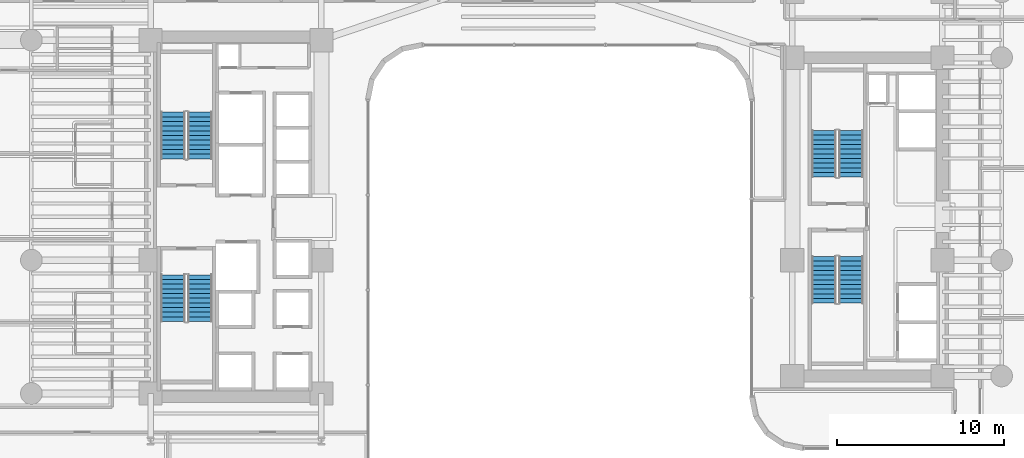
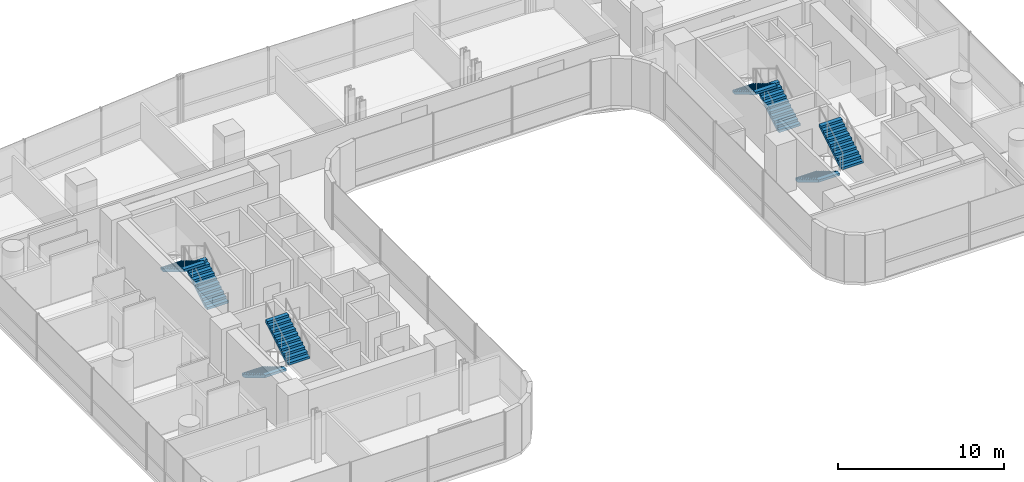
# One storey, part 36 of 40: 8 stair flights, 4 elements without a shape of their own.
"""IFC4 building model written with IfcOpenShell, lengths in metres."""

from ifc_helpers import new_model, si_unit, direction, frame, origin, place, context, subcontext, project, spatial, polyline, outline, extrude, material, type_object, element, aggregate, save


model = new_model("IFC4")

# Units and contexts
model_context = context("Model", 3, precision=1e-05, world=origin(), true_north=direction((0.0, 1.0)))
body_context = subcontext(model_context, "Body", "Model", "MODEL_VIEW")
ifc_project = project(units=[si_unit("LENGTHUNIT", "METRE"), si_unit("AREAUNIT", "SQUARE_METRE"), si_unit("VOLUMEUNIT", "CUBIC_METRE"), si_unit("PLANEANGLEUNIT", "RADIAN"), si_unit("MASSUNIT", "GRAM", prefix="KILO")], contexts=[model_context])

# Site, building, storey
site_placement = place(None, origin())
site = spatial("IfcSite", under=ifc_project, at=site_placement, CompositionType="ELEMENT")
building_placement = place(site_placement, origin())
building = spatial("IfcBuilding", under=site, at=building_placement, Name="Valdorenza Pilgrim Sanctuary Tower", CompositionType="ELEMENT")
storey_placement = place(building_placement, frame((0.0, 0.0, 81.5)))
storey = spatial("IfcBuildingStorey", under=building, at=storey_placement, Name="L20", CompositionType="ELEMENT", Elevation=81.5)

# Stair, stair flights
ifc_material = material(Name="Concrete C40/50", Category="concrete")
stair_type = type_object("IfcStairType", Name="STR-DOG-CORE", PredefinedType="HALF_TURN_STAIR", material=ifc_material)
stair_1_placement = place(storey_placement, origin())
stair_1 = element("IfcStair", 1, at=stair_1_placement, inside=storey, type_object=stair_type, Name="L20 ST-A1", PredefinedType="HALF_TURN_STAIR")
stair_flight_type = type_object("IfcStairFlightType", Name="STF-RC-1400", PredefinedType="STRAIGHT", material=ifc_material)
stair_flight_1_placement = place(storey_placement, frame((-19.679931640625, 3.47998046875, 0.0), z_axis=(0.0, 0.0, 1.0), x_axis=(0.0, 1.0, 0.0)))
stair_flight_1 = element("IfcStairFlight", 2, at=stair_flight_1_placement, type_object=stair_flight_type, Name="ST-A1 flight 1", NumberOfRisers=11, NumberOfTreads=10, PredefinedType="STRAIGHT", RiserHeight=0.168181818, TreadLength=0.28, context=body_context, shape_type="SweptSolid", body=[
    extrude(outline(polyline([(0.0, 0.0), (0.0, 0.168212890625), (0.280029296875, 0.168212890625), (0.280029296875, 0.33642578125), (0.56005859375, 0.33642578125), (0.56005859375, 0.504638671875), (0.840087890625, 0.504638671875), (0.840087890625, 0.672607421875), (1.1201171875, 0.672607421875), (1.1201171875, 0.8408203125), (1.39990234375, 0.8408203125), (1.39990234375, 1.009033203125), (1.679931640625, 1.009033203125), (1.679931640625, 1.17724609375), (1.9599609375, 1.17724609375), (1.9599609375, 1.345458984375), (2.239990234375, 1.345458984375), (2.239990234375, 1.513671875), (2.52001953125, 1.513671875), (2.52001953125, 1.681884765625), (2.800048828125, 1.681884765625), (2.800048828125, 1.85009765625), (2.800048828125, 1.5068359375), (0.291015625, 0.0), (0.0, 0.0)])), frame((0.0, 0.739990234375, 0.0), z_axis=(0.0, -1.0, 0.0), x_axis=(1.0, 0.0, 0.0)), (0.0, 0.0, 1.0), 1.47998046875),
])
stair_flight_2_placement = place(storey_placement, frame((-21.31005859375, 6.280029296875, 1.85009765625), z_axis=(0.0, 0.0, 1.0), x_axis=(0.0, -1.0, 0.0)))
stair_flight_2 = element("IfcStairFlight", 3, at=stair_flight_2_placement, type_object=stair_flight_type, Name="ST-A1 flight 2", NumberOfRisers=11, NumberOfTreads=10, PredefinedType="STRAIGHT", RiserHeight=0.168181818, TreadLength=0.28, context=body_context, shape_type="SweptSolid", body=[
    extrude(outline(polyline([(0.0, 0.0), (0.0, 0.168212890625), (0.280029296875, 0.168212890625), (0.280029296875, 0.33642578125), (0.56005859375, 0.33642578125), (0.56005859375, 0.504638671875), (0.840087890625, 0.504638671875), (0.840087890625, 0.672607421875), (1.1201171875, 0.672607421875), (1.1201171875, 0.8408203125), (1.39990234375, 0.8408203125), (1.39990234375, 1.009033203125), (1.679931640625, 1.009033203125), (1.679931640625, 1.17724609375), (1.9599609375, 1.17724609375), (1.9599609375, 1.345458984375), (2.239990234375, 1.345458984375), (2.239990234375, 1.513671875), (2.52001953125, 1.513671875), (2.52001953125, 1.681884765625), (2.800048828125, 1.681884765625), (2.800048828125, 1.85009765625), (2.800048828125, 1.5068359375), (0.291015625, 0.0), (0.0, 0.0)])), frame((0.0, 0.739990234375, 0.0), z_axis=(0.0, -1.0, 0.0), x_axis=(1.0, 0.0, 0.0)), (0.0, 0.0, 1.0), 1.47998046875),
])
aggregate(stair_1, [stair_flight_1, stair_flight_2])

stair_2_placement = place(storey_placement, origin())
stair_2 = element("IfcStair", 4, at=stair_2_placement, inside=storey, type_object=stair_type, Name="L20 ST-A2", PredefinedType="HALF_TURN_STAIR")
stair_flight_3_placement = place(storey_placement, frame((-21.31005859375, -3.47998046875, 0.0), z_axis=(0.0, 0.0, 1.0), x_axis=(0.0, -1.0, 0.0)))
stair_flight_3 = element("IfcStairFlight", 5, at=stair_flight_3_placement, type_object=stair_flight_type, Name="ST-A2 flight 1", NumberOfRisers=11, NumberOfTreads=10, PredefinedType="STRAIGHT", RiserHeight=0.168181818, TreadLength=0.28, context=body_context, shape_type="SweptSolid", body=[
    extrude(outline(polyline([(0.0, 0.0), (0.0, 0.168212890625), (0.280029296875, 0.168212890625), (0.280029296875, 0.33642578125), (0.56005859375, 0.33642578125), (0.56005859375, 0.504638671875), (0.840087890625, 0.504638671875), (0.840087890625, 0.672607421875), (1.1201171875, 0.672607421875), (1.1201171875, 0.8408203125), (1.39990234375, 0.8408203125), (1.39990234375, 1.009033203125), (1.679931640625, 1.009033203125), (1.679931640625, 1.17724609375), (1.9599609375, 1.17724609375), (1.9599609375, 1.345458984375), (2.239990234375, 1.345458984375), (2.239990234375, 1.513671875), (2.52001953125, 1.513671875), (2.52001953125, 1.681884765625), (2.800048828125, 1.681884765625), (2.800048828125, 1.85009765625), (2.800048828125, 1.5068359375), (0.291015625, 0.0), (0.0, 0.0)])), frame((0.0, 0.739990234375, 0.0), z_axis=(0.0, -1.0, 0.0), x_axis=(1.0, 0.0, 0.0)), (0.0, 0.0, 1.0), 1.47998046875),
])
stair_flight_4_placement = place(storey_placement, frame((-19.679931640625, -6.280029296875, 1.85009765625), z_axis=(0.0, 0.0, 1.0), x_axis=(0.0, 1.0, 0.0)))
stair_flight_4 = element("IfcStairFlight", 6, at=stair_flight_4_placement, type_object=stair_flight_type, Name="ST-A2 flight 2", NumberOfRisers=11, NumberOfTreads=10, PredefinedType="STRAIGHT", RiserHeight=0.168181818, TreadLength=0.28, context=body_context, shape_type="SweptSolid", body=[
    extrude(outline(polyline([(0.0, 0.0), (0.0, 0.168212890625), (0.280029296875, 0.168212890625), (0.280029296875, 0.33642578125), (0.56005859375, 0.33642578125), (0.56005859375, 0.504638671875), (0.840087890625, 0.504638671875), (0.840087890625, 0.672607421875), (1.1201171875, 0.672607421875), (1.1201171875, 0.8408203125), (1.39990234375, 0.8408203125), (1.39990234375, 1.009033203125), (1.679931640625, 1.009033203125), (1.679931640625, 1.17724609375), (1.9599609375, 1.17724609375), (1.9599609375, 1.345458984375), (2.239990234375, 1.345458984375), (2.239990234375, 1.513671875), (2.52001953125, 1.513671875), (2.52001953125, 1.681884765625), (2.800048828125, 1.681884765625), (2.800048828125, 1.85009765625), (2.800048828125, 1.5068359375), (0.291015625, 0.0), (0.0, 0.0)])), frame((0.0, 0.739990234375, 0.0), z_axis=(0.0, -1.0, 0.0), x_axis=(1.0, 0.0, 0.0)), (0.0, 0.0, 1.0), 1.47998046875),
])
aggregate(stair_2, [stair_flight_3, stair_flight_4])

stair_3_placement = place(storey_placement, origin())
stair_3 = element("IfcStair", 7, at=stair_3_placement, inside=storey, type_object=stair_type, Name="L20 ST-B1", PredefinedType="HALF_TURN_STAIR")
stair_flight_5_placement = place(storey_placement, frame((19.3701171875, 2.3798828125, 0.0), z_axis=(0.0, 0.0, 1.0), x_axis=(0.0, 1.0, 0.0)))
stair_flight_5 = element("IfcStairFlight", 8, at=stair_flight_5_placement, type_object=stair_flight_type, Name="ST-B1 flight 1", NumberOfRisers=11, NumberOfTreads=10, PredefinedType="STRAIGHT", RiserHeight=0.168181818, TreadLength=0.28, context=body_context, shape_type="SweptSolid", body=[
    extrude(outline(polyline([(0.0, 0.0), (0.0, 0.168212890625), (0.280029296875, 0.168212890625), (0.280029296875, 0.33642578125), (0.56005859375, 0.33642578125), (0.56005859375, 0.504638671875), (0.840087890625, 0.504638671875), (0.840087890625, 0.672607421875), (1.1201171875, 0.672607421875), (1.1201171875, 0.8408203125), (1.39990234375, 0.8408203125), (1.39990234375, 1.009033203125), (1.679931640625, 1.009033203125), (1.679931640625, 1.17724609375), (1.9599609375, 1.17724609375), (1.9599609375, 1.345458984375), (2.239990234375, 1.345458984375), (2.239990234375, 1.513671875), (2.52001953125, 1.513671875), (2.52001953125, 1.681884765625), (2.800048828125, 1.681884765625), (2.800048828125, 1.85009765625), (2.800048828125, 1.5068359375), (0.291015625, 0.0), (0.0, 0.0)])), frame((0.0, 0.739990234375, 0.0), z_axis=(0.0, -1.0, 0.0), x_axis=(1.0, 0.0, 0.0)), (0.0, 0.0, 1.0), 1.47998046875),
])
stair_flight_6_placement = place(storey_placement, frame((17.739990234375, 5.179931640625, 1.85009765625), z_axis=(0.0, 0.0, 1.0), x_axis=(0.0, -1.0, 0.0)))
stair_flight_6 = element("IfcStairFlight", 9, at=stair_flight_6_placement, type_object=stair_flight_type, Name="ST-B1 flight 2", NumberOfRisers=11, NumberOfTreads=10, PredefinedType="STRAIGHT", RiserHeight=0.168181818, TreadLength=0.28, context=body_context, shape_type="SweptSolid", body=[
    extrude(outline(polyline([(0.0, 0.0), (0.0, 0.168212890625), (0.280029296875, 0.168212890625), (0.280029296875, 0.33642578125), (0.56005859375, 0.33642578125), (0.56005859375, 0.504638671875), (0.840087890625, 0.504638671875), (0.840087890625, 0.672607421875), (1.1201171875, 0.672607421875), (1.1201171875, 0.8408203125), (1.39990234375, 0.8408203125), (1.39990234375, 1.009033203125), (1.679931640625, 1.009033203125), (1.679931640625, 1.17724609375), (1.9599609375, 1.17724609375), (1.9599609375, 1.345458984375), (2.239990234375, 1.345458984375), (2.239990234375, 1.513671875), (2.52001953125, 1.513671875), (2.52001953125, 1.681884765625), (2.800048828125, 1.681884765625), (2.800048828125, 1.85009765625), (2.800048828125, 1.5068359375), (0.291015625, 0.0), (0.0, 0.0)])), frame((0.0, 0.739990234375, 0.0), z_axis=(0.0, -1.0, 0.0), x_axis=(1.0, 0.0, 0.0)), (0.0, 0.0, 1.0), 1.47998046875),
])
aggregate(stair_3, [stair_flight_5, stair_flight_6])

stair_4_placement = place(storey_placement, origin())
stair_4 = element("IfcStair", 10, at=stair_4_placement, inside=storey, type_object=stair_type, Name="L20 ST-B2", PredefinedType="HALF_TURN_STAIR")
stair_flight_7_placement = place(storey_placement, frame((17.739990234375, -2.3798828125, 0.0), z_axis=(0.0, 0.0, 1.0), x_axis=(0.0, -1.0, 0.0)))
stair_flight_7 = element("IfcStairFlight", 11, at=stair_flight_7_placement, type_object=stair_flight_type, Name="ST-B2 flight 1", NumberOfRisers=11, NumberOfTreads=10, PredefinedType="STRAIGHT", RiserHeight=0.168181818, TreadLength=0.28, context=body_context, shape_type="SweptSolid", body=[
    extrude(outline(polyline([(0.0, 0.0), (0.0, 0.168212890625), (0.280029296875, 0.168212890625), (0.280029296875, 0.33642578125), (0.56005859375, 0.33642578125), (0.56005859375, 0.504638671875), (0.840087890625, 0.504638671875), (0.840087890625, 0.672607421875), (1.1201171875, 0.672607421875), (1.1201171875, 0.8408203125), (1.39990234375, 0.8408203125), (1.39990234375, 1.009033203125), (1.679931640625, 1.009033203125), (1.679931640625, 1.17724609375), (1.9599609375, 1.17724609375), (1.9599609375, 1.345458984375), (2.239990234375, 1.345458984375), (2.239990234375, 1.513671875), (2.52001953125, 1.513671875), (2.52001953125, 1.681884765625), (2.800048828125, 1.681884765625), (2.800048828125, 1.85009765625), (2.800048828125, 1.5068359375), (0.291015625, 0.0), (0.0, 0.0)])), frame((0.0, 0.739990234375, 0.0), z_axis=(0.0, -1.0, 0.0), x_axis=(1.0, 0.0, 0.0)), (0.0, 0.0, 1.0), 1.47998046875),
])
stair_flight_8_placement = place(storey_placement, frame((19.3701171875, -5.179931640625, 1.85009765625), z_axis=(0.0, 0.0, 1.0), x_axis=(0.0, 1.0, 0.0)))
stair_flight_8 = element("IfcStairFlight", 12, at=stair_flight_8_placement, type_object=stair_flight_type, Name="ST-B2 flight 2", NumberOfRisers=11, NumberOfTreads=10, PredefinedType="STRAIGHT", RiserHeight=0.168181818, TreadLength=0.28, context=body_context, shape_type="SweptSolid", body=[
    extrude(outline(polyline([(0.0, 0.0), (0.0, 0.168212890625), (0.280029296875, 0.168212890625), (0.280029296875, 0.33642578125), (0.56005859375, 0.33642578125), (0.56005859375, 0.504638671875), (0.840087890625, 0.504638671875), (0.840087890625, 0.672607421875), (1.1201171875, 0.672607421875), (1.1201171875, 0.8408203125), (1.39990234375, 0.8408203125), (1.39990234375, 1.009033203125), (1.679931640625, 1.009033203125), (1.679931640625, 1.17724609375), (1.9599609375, 1.17724609375), (1.9599609375, 1.345458984375), (2.239990234375, 1.345458984375), (2.239990234375, 1.513671875), (2.52001953125, 1.513671875), (2.52001953125, 1.681884765625), (2.800048828125, 1.681884765625), (2.800048828125, 1.85009765625), (2.800048828125, 1.5068359375), (0.291015625, 0.0), (0.0, 0.0)])), frame((0.0, 0.739990234375, 0.0), z_axis=(0.0, -1.0, 0.0), x_axis=(1.0, 0.0, 0.0)), (0.0, 0.0, 1.0), 1.47998046875),
])
aggregate(stair_4, [stair_flight_7, stair_flight_8])

save(model, "model.ifc")
